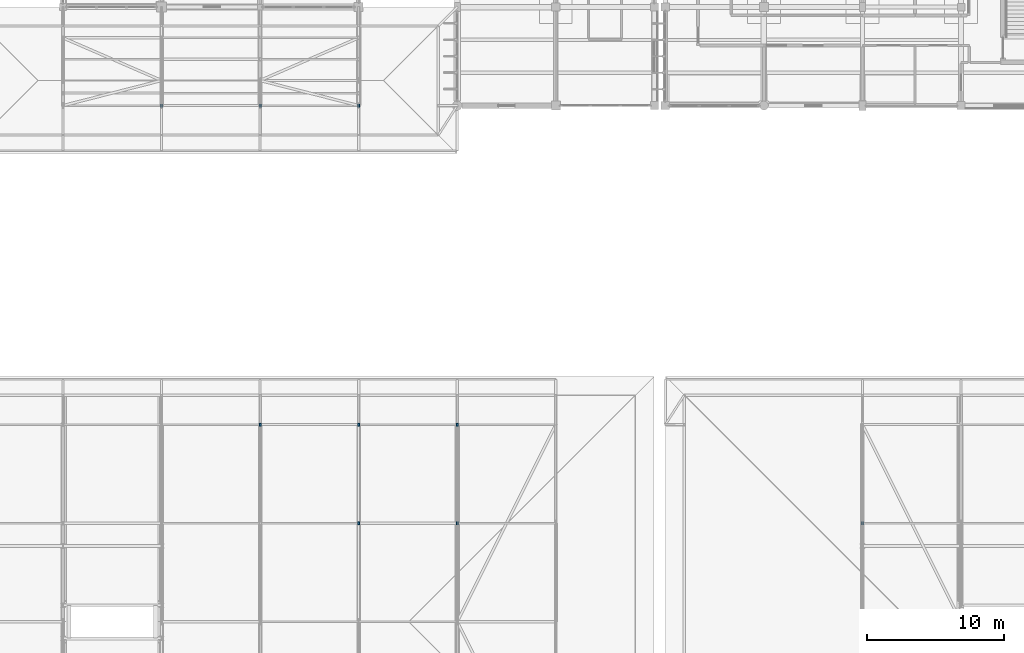
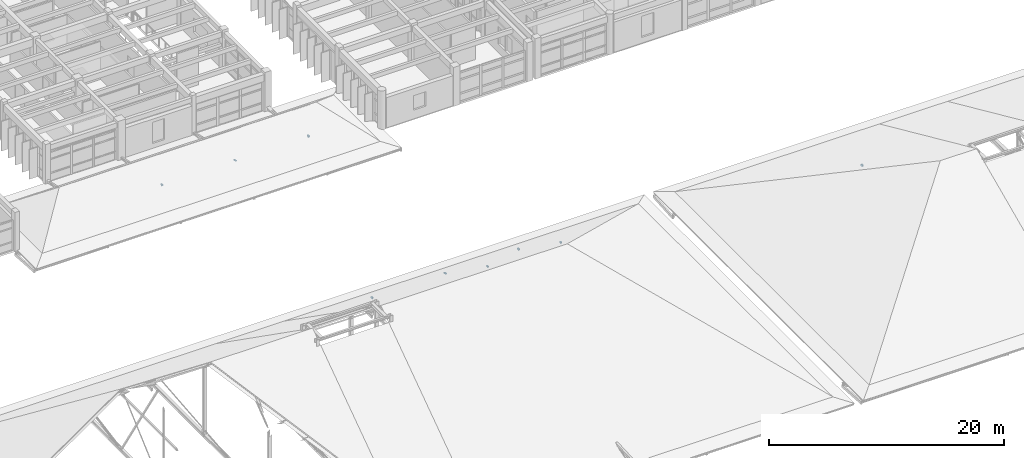
# One storey, part 43 of 100: 9 members.
"""IFC4 building model written with IfcOpenShell, lengths in metres."""

from ifc_helpers import new_model, si_unit, direction, frame, origin, origin_2d, place, context, subcontext, project, spatial, rectangle, extrude, material, material_profile, profile_set, type_object, element, save


model = new_model("IFC4")

# Units and contexts
model_context = context("Model", 3, precision=1e-05, world=origin(), true_north=direction((0.0, 1.0)))
body_context = subcontext(model_context, "Body", "Model", "MODEL_VIEW")
ifc_project = project(units=[si_unit("LENGTHUNIT", "METRE"), si_unit("AREAUNIT", "SQUARE_METRE"), si_unit("VOLUMEUNIT", "CUBIC_METRE"), si_unit("PLANEANGLEUNIT", "RADIAN"), si_unit("MASSUNIT", "GRAM", prefix="KILO")], contexts=[model_context])

# Site, building, storey
site_placement = place(None, origin())
site = spatial("IfcSite", under=ifc_project, at=site_placement, CompositionType="ELEMENT")
building_placement = place(site_placement, origin())
building = spatial("IfcBuilding", under=site, at=building_placement, Name="Steenspoor Specialist Clinic", CompositionType="ELEMENT")
storey_placement = place(building_placement, frame((0.0, 0.0, 9.0)))
storey = spatial("IfcBuildingStorey", under=building, at=storey_placement, Name="L02", CompositionType="ELEMENT", Elevation=9.0)

# Members
ifc_material = material(Name="Glulam GL28h", Category="wood")
ifc_material_profile = material_profile(ifc_material, rectangle(XDim=0.139892578125, YDim=0.219970703125, at=origin_2d()), Name="GL28H-140X220")
ifc_profile_set = profile_set([ifc_material_profile], Name="Glulam GL28h")
member_type = type_object("IfcMemberType", Name="MEM-RAFTER-GL220", PredefinedType="RAFTER", material=ifc_profile_set)
member_1_placement = place(storey_placement, frame((88.39990234375, 41.85009765625, 1.46484375), z_axis=(0.0, 0.0, 1.0), x_axis=(1.0, 0.0, 0.0)))
element("IfcMember", 1, at=member_1_placement, inside=storey, type_object=member_type, Name="ROOF TRUSS Purlin Pack 66B", PredefinedType="RAFTER", context=body_context, shape_type="SweptSolid", body=[
    extrude(rectangle(XDim=0.139892578125, YDim=0.219970703125, at=origin_2d()), origin(), (0.0, 0.0, 1.0), 0.138427734375),
])
for number, where, z_axis, x_axis, name in (
    (2, (95.60009765625, 41.85009765625, 1.5126953125), (0.0, 0.0, 1.0), (1.0, 0.0, 0.0), "ROOF TRUSS Purlin Pack 71B"),
    (3, (95.60009765625, 34.64990234375, 6.5869140625), (0.0, 0.0, 1.0), (1.0, 0.0, 0.0), "ROOF TRUSS Purlin Pack 75A"),
):
    element("IfcMember", number, at=place(storey_placement, frame(where, z_axis=z_axis, x_axis=x_axis)), inside=storey, type_object=member_type, Name=name, PredefinedType="RAFTER", context=body_context, shape_type="SweptSolid", body=[
        extrude(rectangle(XDim=0.139892578125, YDim=0.219970703125, at=origin_2d()), origin(), (0.0, 0.0, 1.0), 0.08740234375),
    ])
member_2_placement = place(storey_placement, frame((102.800048828125, 34.64990234375, 6.5390625), z_axis=(0.0, 0.0, 1.0), x_axis=(1.0, 0.0, 0.0)))
element("IfcMember", 4, at=member_2_placement, inside=storey, type_object=member_type, Name="ROOF TRUSS Purlin Pack 75B", PredefinedType="RAFTER", context=body_context, shape_type="SweptSolid", body=[
    extrude(rectangle(XDim=0.139892578125, YDim=0.219970703125, at=origin_2d()), origin(), (0.0, 0.0, 1.0), 0.117919921875),
])
member_3_placement = place(storey_placement, frame((102.800048828125, 41.85009765625, 1.46484375), z_axis=(0.0, 0.0, 1.0), x_axis=(1.0, 0.0, 0.0)))
element("IfcMember", 5, at=member_3_placement, inside=storey, type_object=member_type, Name="ROOF TRUSS Purlin Pack 76B", PredefinedType="RAFTER", context=body_context, shape_type="SweptSolid", body=[
    extrude(rectangle(XDim=0.139892578125, YDim=0.219970703125, at=origin_2d()), origin(), (0.0, 0.0, 1.0), 0.142333984375),
])
member_4_placement = place(storey_placement, frame((132.39990234375, 34.64990234375, 4.168212890625), z_axis=(0.0, 0.0, 1.0), x_axis=(1.0, 0.0, 0.0)))
element("IfcMember", 6, at=member_4_placement, inside=storey, type_object=member_type, Name="ROOF TRUSS Purlin Pack 130A", PredefinedType="RAFTER", context=body_context, shape_type="SweptSolid", body=[
    extrude(rectangle(XDim=0.139892578125, YDim=0.219970703125, at=origin_2d()), origin(), (0.0, 0.0, 1.0), 0.1552734375),
])
member_5_placement = place(storey_placement, frame((81.199951171875, 65.14990234375, 1.601318359375), z_axis=(0.0, 0.0, 1.0), x_axis=(1.0, 0.0, 0.0)))
element("IfcMember", 7, at=member_5_placement, inside=storey, type_object=member_type, Name="ROOF TRUSS Purlin Pack 214B", PredefinedType="RAFTER", context=body_context, shape_type="SweptSolid", body=[
    extrude(rectangle(XDim=0.139892578125, YDim=0.219970703125, at=origin_2d()), origin(), (0.0, 0.0, 1.0), 0.1337890625),
])
member_6_placement = place(storey_placement, frame((88.39990234375, 65.14990234375, 1.644775390625), z_axis=(0.0, 0.0, 1.0), x_axis=(1.0, 0.0, 0.0)))
element("IfcMember", 8, at=member_6_placement, inside=storey, type_object=member_type, Name="ROOF TRUSS Purlin Pack 219B", PredefinedType="RAFTER", context=body_context, shape_type="SweptSolid", body=[
    extrude(rectangle(XDim=0.139892578125, YDim=0.219970703125, at=origin_2d()), origin(), (0.0, 0.0, 1.0), 0.08984375),
])
member_7_placement = place(storey_placement, frame((95.60009765625, 65.14990234375, 1.601318359375), z_axis=(0.0, 0.0, 1.0), x_axis=(1.0, 0.0, 0.0)))
element("IfcMember", 9, at=member_7_placement, inside=storey, type_object=member_type, Name="ROOF TRUSS Purlin Pack 224B", PredefinedType="RAFTER", context=body_context, shape_type="SweptSolid", body=[
    extrude(rectangle(XDim=0.139892578125, YDim=0.219970703125, at=origin_2d()), origin(), (0.0, 0.0, 1.0), 0.1376953125),
])

save(model, "model.ifc")
